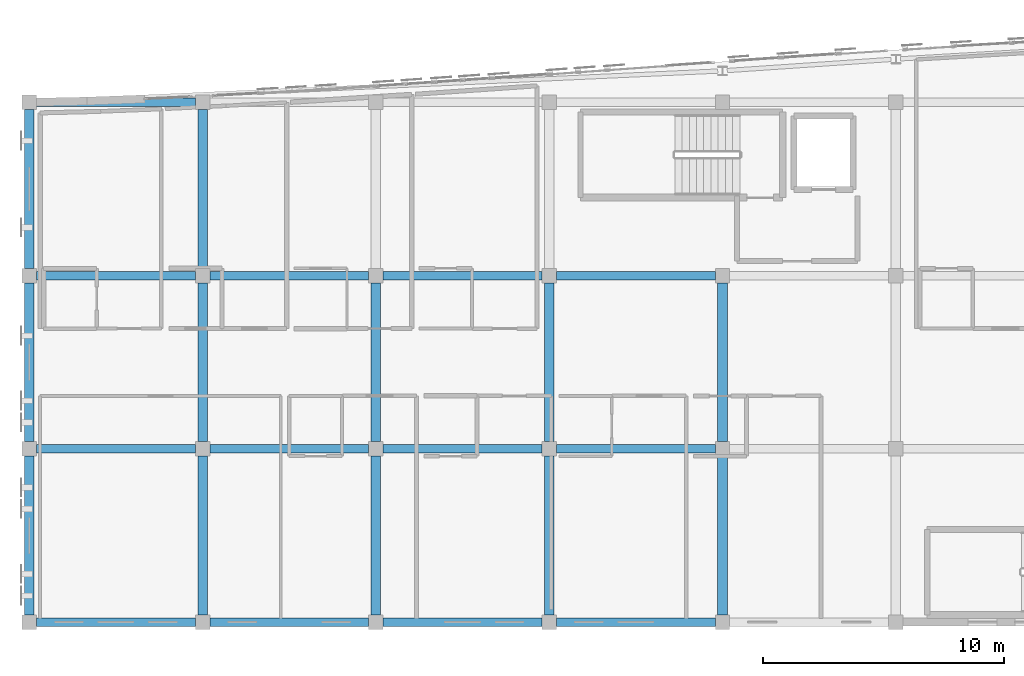
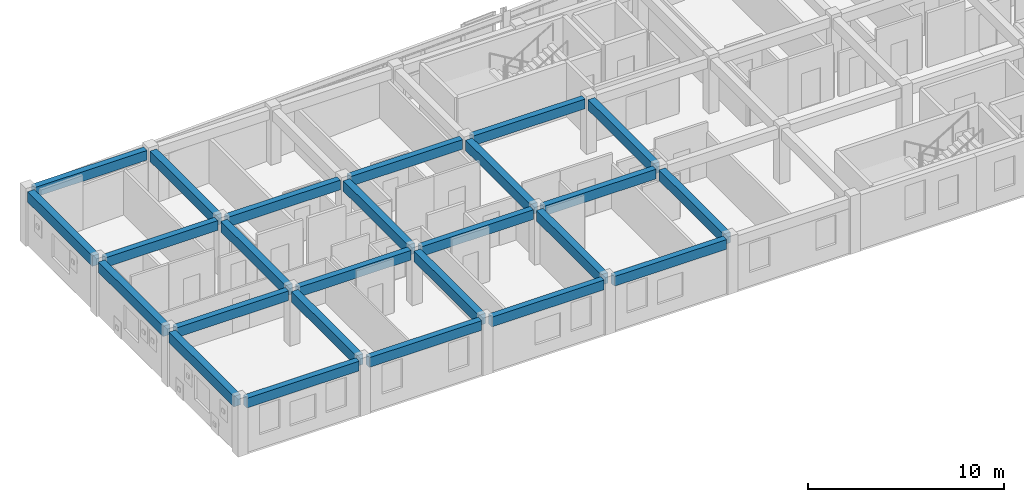
# One storey, part 4 of 41: 25 beams.
"""IFC4 building model written with IfcOpenShell, lengths in metres."""

import ifcopenshell
import ifcopenshell.guid

model = None  # the IFC model being written
_history = None  # IfcOwnerHistory: only IFC2X3 demands one
_inside = {}  # id of a spatial element -> (the spatial element, [elements in it])
_under = {}  # id of a project, library or spatial element -> (it, [spatial elements below it])
_declared = {}  # id of a project -> (the project, [libraries it declares])
_typed = {}  # id of a type object -> (the type object, [elements of that type])
_made_of = {}  # id of a material, layer set ... -> (it, [elements and type objects made of it])


def new_model(schema):
    """Start an empty IFC model of exactly this schema.

    Asked for "IFC4X3", IfcOpenShell would pick the latest addendum, in which some entities
    have other attributes; the version numbers below select the first issue.
    IFC2X3 requires an IfcOwnerHistory on every rooted entity: one is made here for all.
    """
    global model, _history
    if schema == "IFC4X3":
        model = ifcopenshell.file(schema_version=(4, 3, 0, 0))
    else:
        model = ifcopenshell.file(schema=schema)
    _inside.clear()
    _under.clear()
    _declared.clear()
    _typed.clear()
    _made_of.clear()
    _history = None
    if model.schema == "IFC2X3":
        org = make("IfcOrganization", Name="unknown")
        user = make(
            "IfcPersonAndOrganization",
            ThePerson=make("IfcPerson", FamilyName="unknown"),
            TheOrganization=org,
        )
        app = make(
            "IfcApplication",
            ApplicationDeveloper=org,
            Version="unknown",
            ApplicationFullName="unknown",
            ApplicationIdentifier="unknown",
        )
        _history = make(
            "IfcOwnerHistory",
            OwningUser=user,
            OwningApplication=app,
            ChangeAction="ADDED",
            CreationDate=0,
        )
    return model


def make(cls, **values):
    """One entity of the class cls with the attributes given. An attribute that is None is left unset."""
    return model.create_entity(
        cls, **{name: value for name, value in values.items() if value is not None}
    )


def rooted(cls, **values):
    """An entity with a GlobalId (a new one), such as an element, a storey or a relation."""
    return make(cls, GlobalId=ifcopenshell.guid.new(), OwnerHistory=_history, **values)


def si_unit(unit_type, name, prefix=None):
    """IfcSIUnit, for example si_unit("LENGTHUNIT", "METRE", prefix="MILLI")."""
    return make("IfcSIUnit", UnitType=unit_type, Prefix=prefix, Name=name)


def assignment(units):
    """IfcUnitAssignment: the units of a project."""
    return None if units is None else make("IfcUnitAssignment", Units=units)


def point(xyz):
    """IfcCartesianPoint."""
    return None if xyz is None else make("IfcCartesianPoint", Coordinates=xyz)


def direction(xyz):
    """IfcDirection."""
    return None if xyz is None else make("IfcDirection", DirectionRatios=xyz)


def frame(location, z_axis=None, x_axis=None):
    """IfcAxis2Placement3D, a coordinate frame: its origin and axes. An axis left out is left unset."""
    return make(
        "IfcAxis2Placement3D",
        Location=point(location),
        Axis=direction(z_axis),
        RefDirection=direction(x_axis),
    )


def frame_2d(location, x_axis=None):
    """IfcAxis2Placement2D, a coordinate frame in the plane: its origin and x axis."""
    return make(
        "IfcAxis2Placement2D", Location=point(location), RefDirection=direction(x_axis)
    )


def origin():
    """The frame at (0, 0, 0) with its axes left unset."""
    return frame((0.0, 0.0, 0.0))


def origin_2d():
    """The frame at (0, 0) in the plane with its x axis left unset."""
    return frame_2d((0.0, 0.0))


def place(relative_to, where):
    """IfcLocalPlacement: puts the frame where relative to a parent placement (None: the world)."""
    return make(
        "IfcLocalPlacement", PlacementRelTo=relative_to, RelativePlacement=where
    )


def context(
    kind, dimensions, precision=None, world=None, true_north=None, identifier=None
):
    """IfcGeometricRepresentationContext, for example the 3D "Model" context."""
    return make(
        "IfcGeometricRepresentationContext",
        ContextIdentifier=identifier,
        ContextType=kind,
        CoordinateSpaceDimension=dimensions,
        Precision=precision,
        WorldCoordinateSystem=world,
        TrueNorth=true_north,
    )


def subcontext(parent, identifier, kind, view, scale=None):
    """IfcGeometricRepresentationSubContext, for example "Body" below "Model"."""
    return make(
        "IfcGeometricRepresentationSubContext",
        ContextIdentifier=identifier,
        ContextType=kind,
        ParentContext=parent,
        TargetScale=scale,
        TargetView=view,
    )


def project(units=None, contexts=None):
    """IfcProject with its units and contexts."""
    return rooted(
        "IfcProject",
        Name="project",
        RepresentationContexts=contexts,
        UnitsInContext=assignment(units),
    )


def spatial(cls, under=None, at=None, **own):
    """A site, building, storey or space (cls), placed at a placement, below another one or the project."""
    s = rooted(cls, ObjectPlacement=at, **own)
    if under is not None:
        _under.setdefault(under.id(), (under, []))[1].append(s)
    return s


def profile(cls, at=None, kind="AREA", **sizes):
    """A parametric profile (cls). Its sizes go by their IFC names, for example OverallWidth=200.0."""
    return make(cls, ProfileType=kind, Position=at, **sizes)


def rectangle(**sizes):
    """IfcRectangleProfileDef."""
    return profile("IfcRectangleProfileDef", **sizes)


def extrude(swept, where, along, depth):
    """IfcExtrudedAreaSolid: the profile swept, set in the frame where, extruded along a direction by depth."""
    return make(
        "IfcExtrudedAreaSolid",
        SweptArea=swept,
        Position=where,
        ExtrudedDirection=direction(along),
        Depth=depth,
    )


def shape(context_of_items, identifier, shape_type, items):
    """IfcShapeRepresentation: the items that make up one representation, for example the "Body"."""
    return make(
        "IfcShapeRepresentation",
        ContextOfItems=context_of_items,
        RepresentationIdentifier=identifier,
        RepresentationType=shape_type,
        Items=items,
    )


def material(Name=None, Category=None):
    """IfcMaterial."""
    return make("IfcMaterial", Name=Name, Category=Category)


def material_profile(
    of_material, cross_section, Name=None, Category=None, Priority=None
):
    """IfcMaterialProfile: a cross section and its material."""
    return make(
        "IfcMaterialProfile",
        Name=Name,
        Material=of_material,
        Profile=cross_section,
        Priority=Priority,
        Category=Category,
    )


def profile_set(profiles, Name=None, composite=None):
    """IfcMaterialProfileSet."""
    return make(
        "IfcMaterialProfileSet",
        Name=Name,
        MaterialProfiles=profiles,
        CompositeProfile=composite,
    )


def made_of(thing, what):
    """Note that an element or type object is made of a material, layer set ...; save() writes the relation."""
    if what is not None:
        _made_of.setdefault(what.id(), (what, []))[1].append(thing)
    return thing


def type_object(cls, material=None, **own):
    """A type object (cls), such as IfcWallType, which elements share."""
    return made_of(rooted(cls, **own), material)


def element(
    cls,
    number,
    at=None,
    inside=None,
    cuts=None,
    type_object=None,
    material=None,
    context=None,
    identifier="Body",
    shape_type=None,
    held_by="IfcProductDefinitionShape",
    body=None,
    shapes=None,
    **own,
):
    """One element of the class cls, such as IfcWall. Its Tag is "e" and its number.

    at: its placement. inside: the storey or other place that contains it. cuts: it is an
    opening in that element (IfcRelVoidsElement). A single representation is given by context,
    identifier, shape_type and body (its items); several are given by shapes. held_by: the class
    of the entity that holds the representations. save() writes the other relations.
    """
    e = rooted(cls, Tag="e%d" % number, ObjectPlacement=at, **own)
    if body is not None:
        shapes = [shape(context, identifier, shape_type, body)]
    if shapes is not None:
        e.Representation = make(held_by, Representations=shapes)
    if inside is not None:
        _inside.setdefault(inside.id(), (inside, []))[1].append(e)
    if cuts is not None:
        rooted(
            "IfcRelVoidsElement", RelatingBuildingElement=cuts, RelatedOpeningElement=e
        )
    if type_object is not None:
        _typed.setdefault(type_object.id(), (type_object, []))[1].append(e)
    return made_of(e, material)


def aggregate(whole, parts):
    """IfcRelAggregates: a whole, such as a stair, and the parts it consists of."""
    return rooted("IfcRelAggregates", RelatingObject=whole, RelatedObjects=parts)


def save(model, path):
    """Write the relations noted so far, then the file.

    IfcRelAggregates (storeys below a building ...), IfcRelContainedInSpatialStructure (elements
    in a storey), IfcRelDefinesByType, IfcRelAssociatesMaterial and IfcRelDeclares: one each for
    every whole, place, type object, material and project.
    """
    for whole, parts in _under.values():
        aggregate(whole, parts)
    for where, things in _inside.values():
        rooted(
            "IfcRelContainedInSpatialStructure",
            RelatedElements=things,
            RelatingStructure=where,
        )
    for kind, things in _typed.values():
        rooted("IfcRelDefinesByType", RelatedObjects=things, RelatingType=kind)
    for what, things in _made_of.values():
        rooted("IfcRelAssociatesMaterial", RelatedObjects=things, RelatingMaterial=what)
    for by, libraries in _declared.values():
        rooted("IfcRelDeclares", RelatingContext=by, RelatedDefinitions=libraries)
    model.write(path)


model = new_model("IFC4")

# Units and contexts
model_context = context("Model", 3, precision=1e-05, world=origin(), true_north=direction((0.0, 1.0)))
body_context = subcontext(model_context, "Body", "Model", "MODEL_VIEW")
ifc_project = project(units=[si_unit("LENGTHUNIT", "METRE"), si_unit("AREAUNIT", "SQUARE_METRE"), si_unit("VOLUMEUNIT", "CUBIC_METRE"), si_unit("PLANEANGLEUNIT", "RADIAN"), si_unit("MASSUNIT", "GRAM", prefix="KILO")], contexts=[model_context])

# Site, building, storey
site_placement = place(None, origin())
site = spatial("IfcSite", under=ifc_project, at=site_placement, CompositionType="ELEMENT")
building_placement = place(site_placement, origin())
building = spatial("IfcBuilding", under=site, at=building_placement, Name="Carrowvane Square Congress Hotel", CompositionType="ELEMENT")
storey_placement = place(building_placement, frame((0.0, 0.0, 37.199951171875)))
storey = spatial("IfcBuildingStorey", under=building, at=storey_placement, Name="L09", CompositionType="ELEMENT", Elevation=37.199951171875)

# Beams
ifc_material_1 = material(Name="Concrete C35/45", Category="concrete")
ifc_material_profile_1 = material_profile(ifc_material_1, rectangle(XDim=0.35009765625, YDim=0.60009765625, at=origin_2d()), Name="RC 350x600")
ifc_profile_set_1 = profile_set([ifc_material_profile_1], Name="Concrete C35/45")
beam_type_1 = type_object("IfcBeamType", Name="BM-RC-350x600", PredefinedType="BEAM", material=ifc_profile_set_1)
for number, where, z_axis, x_axis, name in (
    (1, (33.5, 91.800048828125, 3.080078125), (1.0, 0.0, 0.0), (0.0, 1.0, 0.0), "L10 girder N/4-5"),
    (2, (40.699951171875, 91.800048828125, 3.080078125), (1.0, 0.0, 0.0), (0.0, 1.0, 0.0), "L10 girder N/5-6"),
    (3, (47.89990234375, 91.800048828125, 3.080078125), (1.0, 0.0, 0.0), (0.0, 1.0, 0.0), "L10 girder N/6-7"),
):
    element("IfcBeam", number, at=place(storey_placement, frame(where, z_axis=z_axis, x_axis=x_axis)), inside=storey, type_object=beam_type_1, Name=name, PredefinedType="BEAM", context=body_context, shape_type="SweptSolid", body=[
        extrude(rectangle(XDim=0.35009765625, YDim=0.60009765625, at=origin_2d()), origin(), (0.0, 0.0, 1.0), 6.60009765625),
    ])
beam_1_placement = place(storey_placement, frame((55.10009765625, 91.800048828125, 3.080078125), z_axis=(1.0, 0.0, 0.0), x_axis=(0.0, 1.0, 0.0)))
element("IfcBeam", 4, at=beam_1_placement, inside=storey, type_object=beam_type_1, Name="L10 girder N/7-8", PredefinedType="BEAM", context=body_context, shape_type="SweptSolid", body=[
    extrude(rectangle(XDim=0.35009765625, YDim=0.60009765625, at=origin_2d()), origin(), (0.0, 0.0, 1.0), 6.599853515625),
])
for number, where, z_axis, x_axis, name in (
    (5, (33.5, 99.0, 3.080078125), (1.0, 0.0, 0.0), (0.0, 1.0, 0.0), "L10 girder P/4-5"),
    (6, (40.699951171875, 99.0, 3.080078125), (1.0, 0.0, 0.0), (0.0, 1.0, 0.0), "L10 girder P/5-6"),
    (7, (47.89990234375, 99.0, 3.080078125), (1.0, 0.0, 0.0), (0.0, 1.0, 0.0), "L10 girder P/6-7"),
):
    element("IfcBeam", number, at=place(storey_placement, frame(where, z_axis=z_axis, x_axis=x_axis)), inside=storey, type_object=beam_type_1, Name=name, PredefinedType="BEAM", context=body_context, shape_type="SweptSolid", body=[
        extrude(rectangle(XDim=0.35009765625, YDim=0.60009765625, at=origin_2d()), origin(), (0.0, 0.0, 1.0), 6.60009765625),
    ])
beam_2_placement = place(storey_placement, frame((55.10009765625, 99.0, 3.080078125), z_axis=(1.0, 0.0, 0.0), x_axis=(0.0, 1.0, 0.0)))
element("IfcBeam", 8, at=beam_2_placement, inside=storey, type_object=beam_type_1, Name="L10 girder P/7-8", PredefinedType="BEAM", context=body_context, shape_type="SweptSolid", body=[
    extrude(rectangle(XDim=0.35009765625, YDim=0.60009765625, at=origin_2d()), origin(), (0.0, 0.0, 1.0), 6.599853515625),
])
for number, where, z_axis, x_axis, name in (
    (9, (33.5, 106.199951171875, 3.080078125), (1.0, 0.0, 0.0), (0.0, 1.0, 0.0), "L10 girder Q/4-5"),
    (10, (40.699951171875, 106.199951171875, 3.080078125), (1.0, 0.0, 0.0), (0.0, 1.0, 0.0), "L10 girder Q/5-6"),
    (11, (47.89990234375, 106.199951171875, 3.080078125), (1.0, 0.0, 0.0), (0.0, 1.0, 0.0), "L10 girder Q/6-7"),
):
    element("IfcBeam", number, at=place(storey_placement, frame(where, z_axis=z_axis, x_axis=x_axis)), inside=storey, type_object=beam_type_1, Name=name, PredefinedType="BEAM", context=body_context, shape_type="SweptSolid", body=[
        extrude(rectangle(XDim=0.35009765625, YDim=0.60009765625, at=origin_2d()), origin(), (0.0, 0.0, 1.0), 6.60009765625),
    ])
beam_3_placement = place(storey_placement, frame((55.10009765625, 106.199951171875, 3.080078125), z_axis=(1.0, 0.0, 0.0), x_axis=(0.0, 1.0, 0.0)))
element("IfcBeam", 12, at=beam_3_placement, inside=storey, type_object=beam_type_1, Name="L10 girder Q/7-8", PredefinedType="BEAM", context=body_context, shape_type="SweptSolid", body=[
    extrude(rectangle(XDim=0.35009765625, YDim=0.60009765625, at=origin_2d()), origin(), (0.0, 0.0, 1.0), 6.599853515625),
])
beam_4_placement = place(storey_placement, frame((33.5, 113.39990234375, 3.080078125), z_axis=(1.0, 0.0, 0.0), x_axis=(0.0, 1.0, 0.0)))
element("IfcBeam", 13, at=beam_4_placement, inside=storey, type_object=beam_type_1, Name="L10 girder R/4-5", PredefinedType="BEAM", context=body_context, shape_type="SweptSolid", body=[
    extrude(rectangle(XDim=0.35009765625, YDim=0.60009765625, at=origin_2d()), origin(), (0.0, 0.0, 1.0), 6.60009765625),
])
ifc_material_2 = material(Name="Concrete C35/45", Category="concrete")
ifc_material_profile_2 = material_profile(ifc_material_2, rectangle(XDim=0.39990234375, YDim=0.64990234375, at=origin_2d()), Name="RC 400x650")
ifc_profile_set_2 = profile_set([ifc_material_profile_2], Name="Concrete C35/45")
beam_type_2 = type_object("IfcBeamType", Name="BM-RC-400x650", PredefinedType="BEAM", material=ifc_profile_set_2)
for number, where, z_axis, x_axis, name in (
    (14, (33.199951171875, 92.10009765625, 3.054931640625), (0.0, 1.0, 0.0), (-1.0, 0.0, 0.0), "L10 girder 4/N-P"),
    (15, (33.199951171875, 99.300048828125, 3.054931640625), (0.0, 1.0, 0.0), (-1.0, 0.0, 0.0), "L10 girder 4/P-Q"),
):
    element("IfcBeam", number, at=place(storey_placement, frame(where, z_axis=z_axis, x_axis=x_axis)), inside=storey, type_object=beam_type_2, Name=name, PredefinedType="BEAM", context=body_context, shape_type="SweptSolid", body=[
        extrude(rectangle(XDim=0.39990234375, YDim=0.64990234375, at=origin_2d()), origin(), (0.0, 0.0, 1.0), 6.599853515625),
    ])
beam_5_placement = place(storey_placement, frame((33.199951171875, 106.5, 3.054931640625), z_axis=(0.0, 1.0, 0.0), x_axis=(-1.0, 0.0, 0.0)))
element("IfcBeam", 16, at=beam_5_placement, inside=storey, type_object=beam_type_2, Name="L10 girder 4/Q-R", PredefinedType="BEAM", context=body_context, shape_type="SweptSolid", body=[
    extrude(rectangle(XDim=0.39990234375, YDim=0.64990234375, at=origin_2d()), origin(), (0.0, 0.0, 1.0), 6.60009765625),
])
for number, where, z_axis, x_axis, name in (
    (17, (40.39990234375, 92.10009765625, 3.054931640625), (0.0, 1.0, 0.0), (-1.0, 0.0, 0.0), "L10 girder 5/N-P"),
    (18, (40.39990234375, 99.300048828125, 3.054931640625), (0.0, 1.0, 0.0), (-1.0, 0.0, 0.0), "L10 girder 5/P-Q"),
):
    element("IfcBeam", number, at=place(storey_placement, frame(where, z_axis=z_axis, x_axis=x_axis)), inside=storey, type_object=beam_type_2, Name=name, PredefinedType="BEAM", context=body_context, shape_type="SweptSolid", body=[
        extrude(rectangle(XDim=0.39990234375, YDim=0.64990234375, at=origin_2d()), origin(), (0.0, 0.0, 1.0), 6.599853515625),
    ])
beam_6_placement = place(storey_placement, frame((40.39990234375, 106.5, 3.054931640625), z_axis=(0.0, 1.0, 0.0), x_axis=(-1.0, 0.0, 0.0)))
element("IfcBeam", 19, at=beam_6_placement, inside=storey, type_object=beam_type_2, Name="L10 girder 5/Q-R", PredefinedType="BEAM", context=body_context, shape_type="SweptSolid", body=[
    extrude(rectangle(XDim=0.39990234375, YDim=0.64990234375, at=origin_2d()), origin(), (0.0, 0.0, 1.0), 6.60009765625),
])
for number, where, z_axis, x_axis, name in (
    (20, (47.60009765625, 92.10009765625, 3.054931640625), (0.0, 1.0, 0.0), (-1.0, 0.0, 0.0), "L10 girder 6/N-P"),
    (21, (47.60009765625, 99.300048828125, 3.054931640625), (0.0, 1.0, 0.0), (-1.0, 0.0, 0.0), "L10 girder 6/P-Q"),
    (22, (54.800048828125, 92.10009765625, 3.054931640625), (0.0, 1.0, 0.0), (-1.0, 0.0, 0.0), "L10 girder 7/N-P"),
    (23, (54.800048828125, 99.300048828125, 3.054931640625), (0.0, 1.0, 0.0), (-1.0, 0.0, 0.0), "L10 girder 7/P-Q"),
    (24, (62.0, 92.10009765625, 3.054931640625), (0.0, 1.0, 0.0), (-1.0, 0.0, 0.0), "L10 girder 8/N-P"),
    (25, (62.0, 99.300048828125, 3.054931640625), (0.0, 1.0, 0.0), (-1.0, 0.0, 0.0), "L10 girder 8/P-Q"),
):
    element("IfcBeam", number, at=place(storey_placement, frame(where, z_axis=z_axis, x_axis=x_axis)), inside=storey, type_object=beam_type_2, Name=name, PredefinedType="BEAM", context=body_context, shape_type="SweptSolid", body=[
        extrude(rectangle(XDim=0.39990234375, YDim=0.64990234375, at=origin_2d()), origin(), (0.0, 0.0, 1.0), 6.599853515625),
    ])

save(model, "model.ifc")
